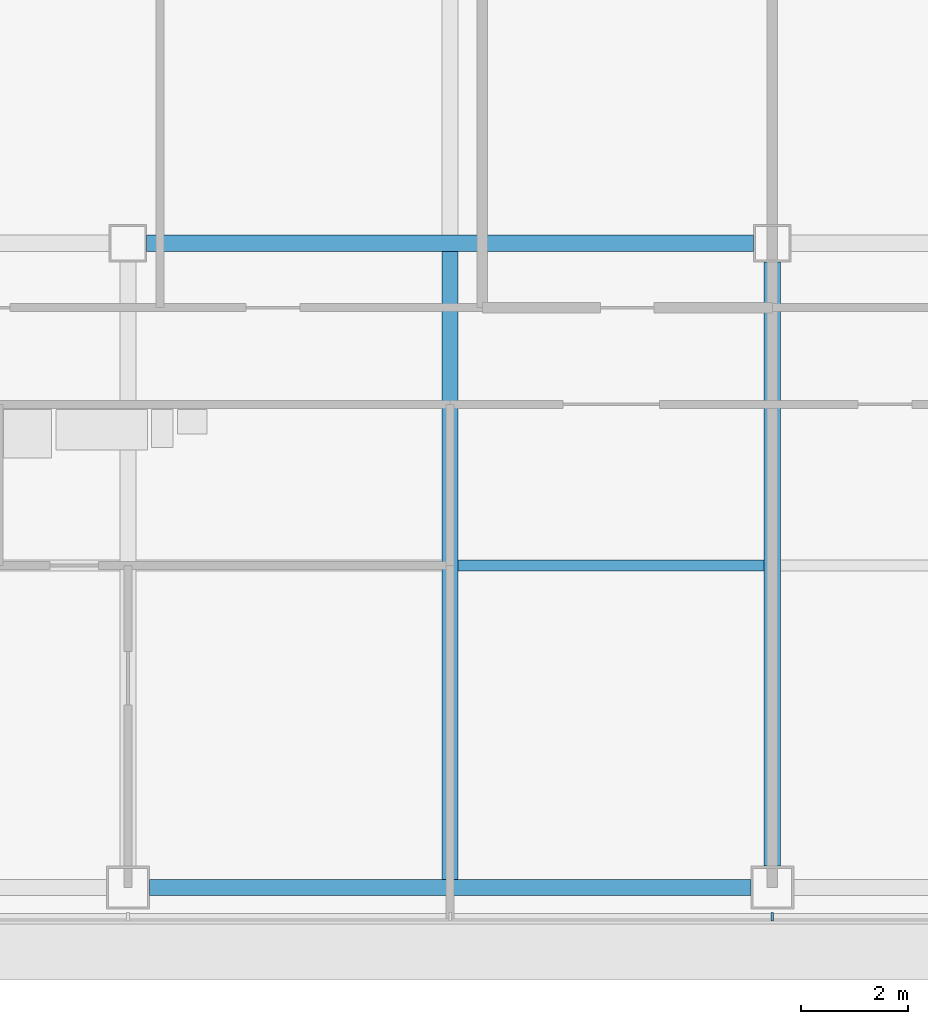
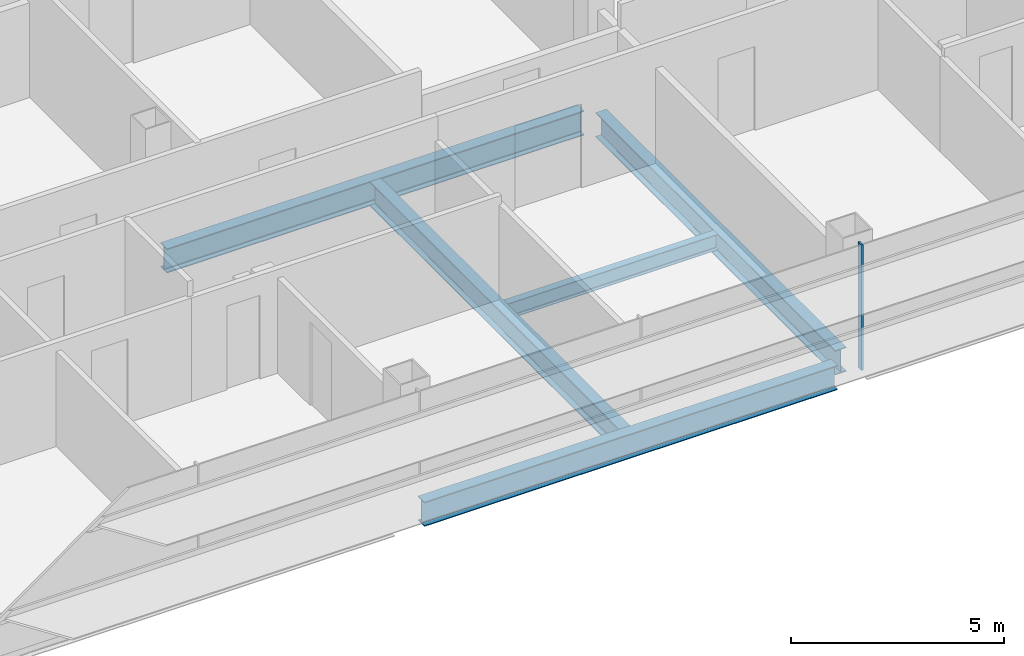
# One storey, part 3 of 25: 5 beams, 1 member, 1 element without a shape of its own.
"""IFC4 building model written with IfcOpenShell, lengths in metres."""

from ifc_helpers import new_model, si_unit, direction, frame, origin, origin_2d, place, context, subcontext, project, spatial, rectangle, i_section, extrude, material, material_profile, profile_set, type_object, element, aggregate, save


model = new_model("IFC4")

# Units and contexts
model_context = context("Model", 3, precision=1e-05, world=origin(), true_north=direction((0.0, 1.0)))
body_context = subcontext(model_context, "Body", "Model", "MODEL_VIEW")
ifc_project = project(units=[si_unit("LENGTHUNIT", "METRE"), si_unit("AREAUNIT", "SQUARE_METRE"), si_unit("VOLUMEUNIT", "CUBIC_METRE"), si_unit("PLANEANGLEUNIT", "RADIAN"), si_unit("MASSUNIT", "GRAM", prefix="KILO")], contexts=[model_context])

# Site, building, storey
site_placement = place(None, origin())
site = spatial("IfcSite", under=ifc_project, at=site_placement, CompositionType="ELEMENT")
building_placement = place(site_placement, origin())
building = spatial("IfcBuilding", under=site, at=building_placement, Name="Sorahane Residences", CompositionType="ELEMENT")
storey_placement = place(building_placement, frame((0.0, 0.0, 123.199951171875)))
storey = spatial("IfcBuildingStorey", under=building, at=storey_placement, Name="L27", CompositionType="ELEMENT", Elevation=123.199951171875)

# Curtain wall, member
ifc_material_1 = material(Name="Dark low-e glass and black anodised aluminium", Category="aluminium")
curtain_wall_type = type_object("IfcCurtainWallType", Name="Curtain wall CW-1 Typical unitised wall", PredefinedType="NOTDEFINED", material=ifc_material_1)
curtain_wall_placement = place(storey_placement, origin())
curtain_wall = element("IfcCurtainWall", 1, at=curtain_wall_placement, inside=storey, type_object=curtain_wall_type, Name="CW-1 curtain wall L27 S1", PredefinedType="NOTDEFINED")
ifc_material_2 = material(Name="Black anodised aluminium", Category="aluminium")
ifc_material_profile_1 = material_profile(ifc_material_2, rectangle(XDim=0.159912109375, YDim=0.050048828125, at=origin_2d()), Name="Curtain wall mullion CW-1 black anodised aluminium 50x160")
ifc_profile_set_1 = profile_set([ifc_material_profile_1], Name="Black anodised aluminium")
member_type = type_object("IfcMemberType", Name="Curtain wall mullion CW-1 black anodised aluminium 50x160", PredefinedType="MULLION", material=ifc_profile_set_1)
member_placement = place(storey_placement, frame((24.0, -0.5400390625, -0.179931640625), z_axis=(0.0, 0.0, 1.0), x_axis=(0.0, -1.0, 0.0)))
member = element("IfcMember", 2, at=member_placement, type_object=member_type, Name="CW-1 mullion L27 S1.5", PredefinedType="MULLION", context=body_context, shape_type="SweptSolid", body=[
    extrude(rectangle(XDim=0.159912109375, YDim=0.050048828125, at=origin_2d()), origin(), (0.0, 0.0, 1.0), 3.60009765625),
])
aggregate(curtain_wall, [member])

# Beams
ifc_material_3 = material(Name="Steel Q355B", Category="steel")
ifc_material_profile_2 = material_profile(ifc_material_3, i_section(OverallWidth=0.199951171875, OverallDepth=0.449951171875, WebThickness=0.009033203125, FlangeThickness=0.013916015625, FilletRadius=0.02001953125, at=origin_2d()), Name="HN 450x200x9x14")
ifc_profile_set_2 = profile_set([ifc_material_profile_2], Name="Steel Q355B")
beam_type_1 = type_object("IfcBeamType", Name="Steel floor beam HN 450x200x9x14 Q355B", PredefinedType="BEAM", material=ifc_profile_set_2)
beam_1_placement = place(storey_placement, frame((18.14990234375, 6.0, -0.405029296875), z_axis=(1.0, 0.0, 0.0), x_axis=(0.0, 1.0, 0.0)))
element("IfcBeam", 3, at=beam_1_placement, inside=storey, type_object=beam_type_1, Name="Beam L27 072", PredefinedType="BEAM", context=body_context, shape_type="SweptSolid", body=[
    extrude(i_section(OverallWidth=0.199951171875, OverallDepth=0.449951171875, WebThickness=0.009033203125, FlangeThickness=0.013916015625, FilletRadius=0.02001953125, at=origin_2d()), origin(), (0.0, 0.0, 1.0), 5.7001953125),
])
ifc_material_4 = material(Name="Steel Q355B", Category="steel")
ifc_material_profile_3 = material_profile(ifc_material_4, i_section(OverallWidth=0.300048828125, OverallDepth=0.699951171875, WebThickness=0.012939453125, FlangeThickness=0.02392578125, FilletRadius=0.028076171875, at=origin_2d()), Name="HN 700x300x13x24")
ifc_profile_set_3 = profile_set([ifc_material_profile_3], Name="Steel Q355B")
beam_type_2 = type_object("IfcBeamType", Name="Steel floor beam HN 700x300x13x24 Q355B", PredefinedType="BEAM", material=ifc_profile_set_3)
beam_2_placement = place(storey_placement, frame((12.39990234375, 0.0, -0.530029296875), z_axis=(1.0, 0.0, 0.0), x_axis=(0.0, 1.0, 0.0)))
element("IfcBeam", 4, at=beam_2_placement, inside=storey, type_object=beam_type_2, Name="Beam L27 001", PredefinedType="BEAM", context=body_context, shape_type="SweptSolid", body=[
    extrude(i_section(OverallWidth=0.300048828125, OverallDepth=0.699951171875, WebThickness=0.012939453125, FlangeThickness=0.02392578125, FilletRadius=0.028076171875, at=origin_2d()), origin(), (0.0, 0.0, 1.0), 11.2001953125),
])
beam_3_placement = place(storey_placement, frame((12.35009765625, 12.0, -0.530029296875), z_axis=(1.0, 0.0, 0.0), x_axis=(0.0, 1.0, 0.0)))
element("IfcBeam", 5, at=beam_3_placement, inside=storey, type_object=beam_type_2, Name="Beam L27 007", PredefinedType="BEAM", context=body_context, shape_type="SweptSolid", body=[
    extrude(i_section(OverallWidth=0.300048828125, OverallDepth=0.699951171875, WebThickness=0.012939453125, FlangeThickness=0.02392578125, FilletRadius=0.028076171875, at=origin_2d()), origin(), (0.0, 0.0, 1.0), 11.2998046875),
])
beam_4_placement = place(storey_placement, frame((18.0, 0.14990234375, -0.530029296875), z_axis=(0.0, 1.0, 0.0), x_axis=(-1.0, 0.0, 0.0)))
element("IfcBeam", 6, at=beam_4_placement, inside=storey, type_object=beam_type_2, Name="Beam L27 036", PredefinedType="BEAM", context=body_context, shape_type="SweptSolid", body=[
    extrude(i_section(OverallWidth=0.300048828125, OverallDepth=0.699951171875, WebThickness=0.012939453125, FlangeThickness=0.02392578125, FilletRadius=0.028076171875, at=origin_2d()), origin(), (0.0, 0.0, 1.0), 11.7001953125),
])
beam_5_placement = place(storey_placement, frame((24.0, 0.39990234375, -0.530029296875), z_axis=(0.0, 1.0, 0.0), x_axis=(-1.0, 0.0, 0.0)))
element("IfcBeam", 7, at=beam_5_placement, inside=storey, type_object=beam_type_2, Name="Beam L27 042", PredefinedType="BEAM", context=body_context, shape_type="SweptSolid", body=[
    extrude(i_section(OverallWidth=0.300048828125, OverallDepth=0.699951171875, WebThickness=0.012939453125, FlangeThickness=0.02392578125, FilletRadius=0.028076171875, at=origin_2d()), origin(), (0.0, 0.0, 1.0), 11.25),
])

save(model, "model.ifc")
